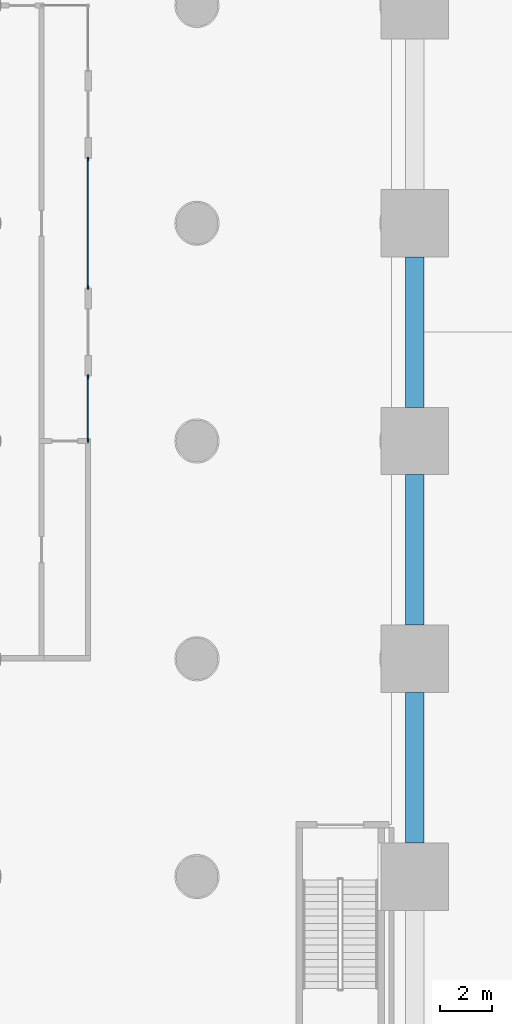
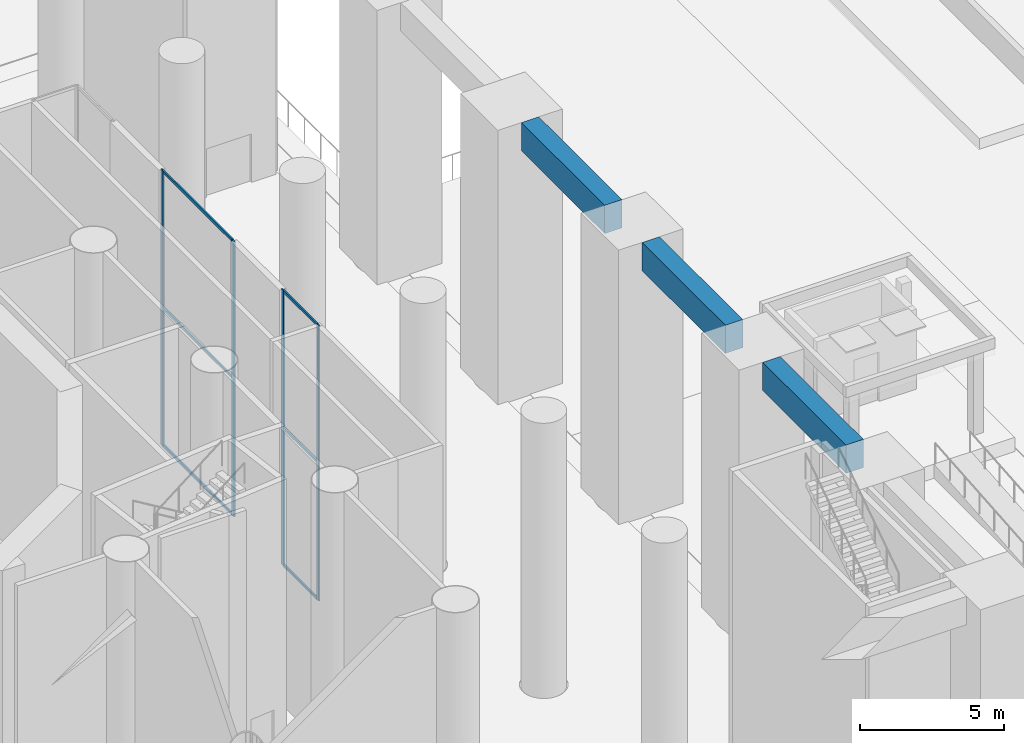
# One storey, part 5 of 52: 10 members, 3 beams, 2 elements without a shape of their own.
"""IFC4 building model written with IfcOpenShell, lengths in metres."""

from ifc_helpers import new_model, si_unit, direction, frame, origin, origin_2d, place, context, subcontext, project, spatial, rectangle, extrude, material, material_profile, profile_set, type_object, element, aggregate, save


model = new_model("IFC4")

# Units and contexts
model_context = context("Model", 3, precision=1e-05, world=origin(), true_north=direction((0.0, 1.0)))
body_context = subcontext(model_context, "Body", "Model", "MODEL_VIEW")
ifc_project = project(units=[si_unit("LENGTHUNIT", "METRE"), si_unit("AREAUNIT", "SQUARE_METRE"), si_unit("VOLUMEUNIT", "CUBIC_METRE"), si_unit("PLANEANGLEUNIT", "RADIAN"), si_unit("MASSUNIT", "GRAM", prefix="KILO")], contexts=[model_context])

# Site, building, storey
site_placement = place(None, origin())
site = spatial("IfcSite", under=ifc_project, at=site_placement, CompositionType="ELEMENT")
building_placement = place(site_placement, origin())
building = spatial("IfcBuilding", under=site, at=building_placement, Name="Cantera Rosa Tower", CompositionType="ELEMENT")
storey_placement = place(building_placement, origin())
storey = spatial("IfcBuildingStorey", under=building, at=storey_placement, Name="L00", CompositionType="ELEMENT", Elevation=0.0)

# Beams
ifc_material_1 = material(Name="Concrete C50/60", Category="concrete")
ifc_material_profile_1 = material_profile(ifc_material_1, rectangle(XDim=0.699951171875, YDim=1.199951171875, at=origin_2d()), Name="Edge girder 700x1200")
ifc_profile_set_1 = profile_set([ifc_material_profile_1], Name="Concrete C50/60")
beam_type = type_object("IfcBeamType", Name="Edge girder 700x1200", PredefinedType="BEAM", material=ifc_profile_set_1)
for number, where, z_axis, x_axis, name in (
    (1, (33.60009765625, -19.699951171875, 11.10009765625), (0.0, 1.0, 0.0), (-1.0, 0.0, 0.0), "Edge girder L00-13"),
    (2, (33.60009765625, -11.300048828125, 11.10009765625), (0.0, 1.0, 0.0), (-1.0, 0.0, 0.0), "Edge girder L00-14"),
):
    element("IfcBeam", number, at=place(storey_placement, frame(where, z_axis=z_axis, x_axis=x_axis)), inside=storey, type_object=beam_type, Name=name, PredefinedType="BEAM", context=body_context, shape_type="SweptSolid", body=[
        extrude(rectangle(XDim=0.699951171875, YDim=1.199951171875, at=origin_2d()), origin(), (0.0, 0.0, 1.0), 5.800048828125),
    ])
beam_placement = place(storey_placement, frame((33.60009765625, -2.89990234375, 11.10009765625), z_axis=(0.0, 1.0, 0.0), x_axis=(-1.0, 0.0, 0.0)))
element("IfcBeam", 3, at=beam_placement, inside=storey, type_object=beam_type, Name="Edge girder L00-15", PredefinedType="BEAM", context=body_context, shape_type="SweptSolid", body=[
    extrude(rectangle(XDim=0.699951171875, YDim=1.199951171875, at=origin_2d()), origin(), (0.0, 0.0, 1.0), 5.7998046875),
])

# Curtain wall, members
ifc_material_2 = material(Name="Glass", Category="glass")
curtain_wall_type = type_object("IfcCurtainWallType", Name="Pavilion curtain wall", PredefinedType="NOTDEFINED", material=ifc_material_2)
curtain_wall_1_placement = place(storey_placement, origin())
curtain_wall_1 = element("IfcCurtainWall", 4, at=curtain_wall_1_placement, inside=storey, type_object=curtain_wall_type, Name="Pavilion curtain wall CAFE 1", PredefinedType="NOTDEFINED")
ifc_material_3 = material(Name="Aluminium", Category="aluminium")
ifc_material_profile_2 = material_profile(ifc_material_3, rectangle(XDim=0.06005859375, YDim=0.159912109375, at=origin_2d()), Name="Mullion pavilion 60x160")
ifc_profile_set_2 = profile_set([ifc_material_profile_2], Name="Aluminium")
member_type_1 = type_object("IfcMemberType", Name="Mullion pavilion 60x160", PredefinedType="MULLION", material=ifc_profile_set_2)
member_1_placement = place(storey_placement, frame((21.0, -4.169921875, 0.0), z_axis=(0.0, 0.0, 1.0), x_axis=(-1.0, 0.0, 0.0)))
member_1 = element("IfcMember", 5, at=member_1_placement, type_object=member_type_1, Name="CW6 mullion 1", PredefinedType="MULLION", context=body_context, shape_type="SweptSolid", body=[
    extrude(rectangle(XDim=0.06005859375, YDim=0.159912109375, at=origin_2d()), origin(), (0.0, 0.0, 1.0), 11.699951171875),
])
member_2_placement = place(storey_placement, frame((21.0, -1.72998046875, 0.0), z_axis=(0.0, 0.0, 1.0), x_axis=(-1.0, 0.0, 0.0)))
member_2 = element("IfcMember", 6, at=member_2_placement, type_object=member_type_1, Name="CW6 mullion 2", PredefinedType="MULLION", context=body_context, shape_type="SweptSolid", body=[
    extrude(rectangle(XDim=0.06005859375, YDim=0.159912109375, at=origin_2d()), origin(), (0.0, 0.0, 1.0), 11.699951171875),
])

curtain_wall_2_placement = place(storey_placement, origin())
curtain_wall_2 = element("IfcCurtainWall", 7, at=curtain_wall_2_placement, inside=storey, type_object=curtain_wall_type, Name="Pavilion curtain wall CAFE 1", PredefinedType="NOTDEFINED")
member_3_placement = place(storey_placement, frame((21.0, 1.72998046875, 0.0), z_axis=(0.0, 0.0, 1.0), x_axis=(-1.0, 0.0, 0.0)))
member_3 = element("IfcMember", 8, at=member_3_placement, type_object=member_type_1, Name="CW6 mullion 1", PredefinedType="MULLION", context=body_context, shape_type="SweptSolid", body=[
    extrude(rectangle(XDim=0.06005859375, YDim=0.159912109375, at=origin_2d()), origin(), (0.0, 0.0, 1.0), 11.699951171875),
])
member_4_placement = place(storey_placement, frame((21.0, 6.669921875, 0.0), z_axis=(0.0, 0.0, 1.0), x_axis=(-1.0, 0.0, 0.0)))
member_4 = element("IfcMember", 9, at=member_4_placement, type_object=member_type_1, Name="CW6 mullion 2", PredefinedType="MULLION", context=body_context, shape_type="SweptSolid", body=[
    extrude(rectangle(XDim=0.06005859375, YDim=0.159912109375, at=origin_2d()), origin(), (0.0, 0.0, 1.0), 11.699951171875),
])

# Member
ifc_material_4 = material(Name="Aluminium", Category="aluminium")
ifc_material_profile_3 = material_profile(ifc_material_4, rectangle(XDim=0.06005859375, YDim=0.1201171875, at=origin_2d()), Name="Transom pavilion 60x120")
ifc_profile_set_3 = profile_set([ifc_material_profile_3], Name="Aluminium")
member_type_2 = type_object("IfcMemberType", Name="Transom pavilion 60x120", PredefinedType="USERDEFINED", material=ifc_profile_set_3)
member_5_placement = place(storey_placement, frame((21.0, -4.139892578125, 0.030029296875), z_axis=(0.0, 1.0, 0.0), x_axis=(-1.0, 0.0, 0.0)))
member_5 = element("IfcMember", 10, at=member_5_placement, type_object=member_type_2, Name="CW6 transom 1.1", ObjectType="TRANSOM", PredefinedType="USERDEFINED", context=body_context, shape_type="SweptSolid", body=[
    extrude(rectangle(XDim=0.06005859375, YDim=0.1201171875, at=origin_2d()), origin(), (0.0, 0.0, 1.0), 2.3798828125),
])

member_6_placement = place(storey_placement, frame((21.0, -4.139892578125, 5.85009765625), z_axis=(0.0, 1.0, 0.0), x_axis=(-1.0, 0.0, 0.0)))
member_6 = element("IfcMember", 11, at=member_6_placement, type_object=member_type_2, Name="CW6 transom 1.2", ObjectType="TRANSOM", PredefinedType="USERDEFINED", context=body_context, shape_type="SweptSolid", body=[
    extrude(rectangle(XDim=0.06005859375, YDim=0.1201171875, at=origin_2d()), origin(), (0.0, 0.0, 1.0), 2.3798828125),
])

member_7_placement = place(storey_placement, frame((21.0, -4.139892578125, 11.669921875), z_axis=(0.0, 1.0, 0.0), x_axis=(-1.0, 0.0, 0.0)))
member_7 = element("IfcMember", 12, at=member_7_placement, type_object=member_type_2, Name="CW6 transom 1.3", ObjectType="TRANSOM", PredefinedType="USERDEFINED", context=body_context, shape_type="SweptSolid", body=[
    extrude(rectangle(XDim=0.06005859375, YDim=0.1201171875, at=origin_2d()), origin(), (0.0, 0.0, 1.0), 2.3798828125),
])

aggregate(curtain_wall_1, [member_1, member_2, member_5, member_6, member_7])

member_8_placement = place(storey_placement, frame((21.0, 1.760009765625, 0.030029296875), z_axis=(0.0, 1.0, 0.0), x_axis=(-1.0, 0.0, 0.0)))
member_8 = element("IfcMember", 13, at=member_8_placement, type_object=member_type_2, Name="CW6 transom 1.1", ObjectType="TRANSOM", PredefinedType="USERDEFINED", context=body_context, shape_type="SweptSolid", body=[
    extrude(rectangle(XDim=0.06005859375, YDim=0.1201171875, at=origin_2d()), origin(), (0.0, 0.0, 1.0), 4.8798828125),
])

member_9_placement = place(storey_placement, frame((21.0, 1.760009765625, 5.85009765625), z_axis=(0.0, 1.0, 0.0), x_axis=(-1.0, 0.0, 0.0)))
member_9 = element("IfcMember", 14, at=member_9_placement, type_object=member_type_2, Name="CW6 transom 1.2", ObjectType="TRANSOM", PredefinedType="USERDEFINED", context=body_context, shape_type="SweptSolid", body=[
    extrude(rectangle(XDim=0.06005859375, YDim=0.1201171875, at=origin_2d()), origin(), (0.0, 0.0, 1.0), 4.8798828125),
])

member_10_placement = place(storey_placement, frame((21.0, 1.760009765625, 11.669921875), z_axis=(0.0, 1.0, 0.0), x_axis=(-1.0, 0.0, 0.0)))
member_10 = element("IfcMember", 15, at=member_10_placement, type_object=member_type_2, Name="CW6 transom 1.3", ObjectType="TRANSOM", PredefinedType="USERDEFINED", context=body_context, shape_type="SweptSolid", body=[
    extrude(rectangle(XDim=0.06005859375, YDim=0.1201171875, at=origin_2d()), origin(), (0.0, 0.0, 1.0), 4.8798828125),
])

aggregate(curtain_wall_2, [member_3, member_4, member_8, member_9, member_10])

save(model, "model.ifc")
